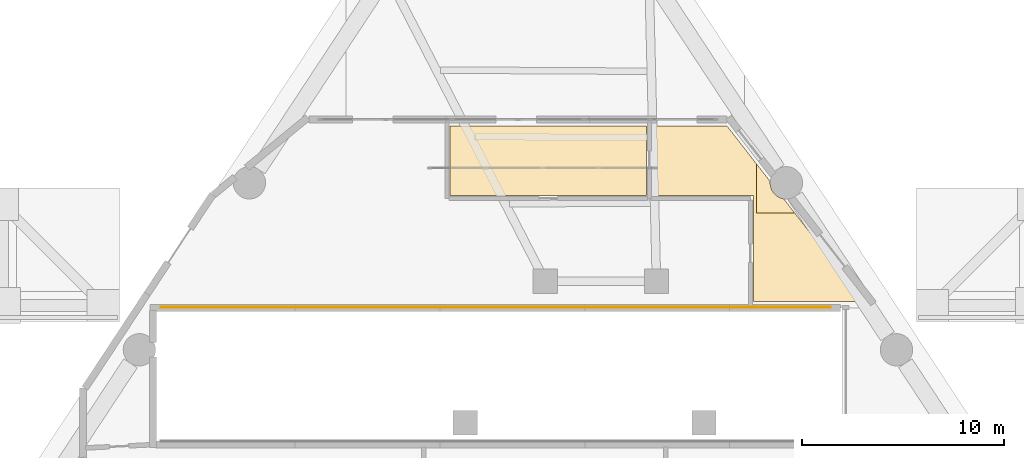
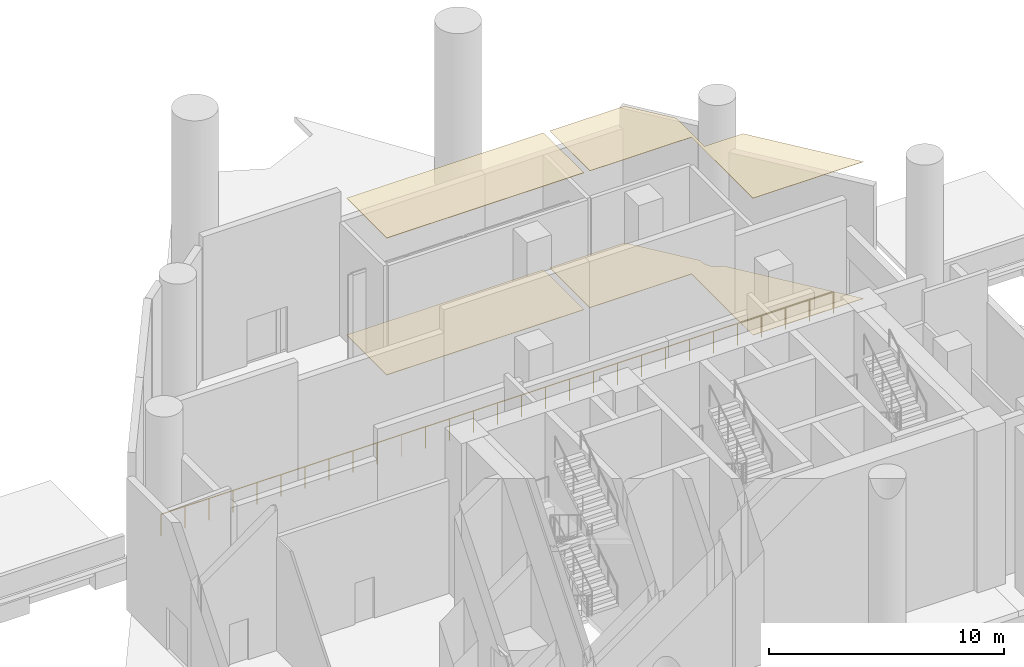
# One storey, part 11 of 12: 4 coverings, 1 railing.
"""IFC4 building model written with IfcOpenShell, lengths in metres."""

from ifc_helpers import new_model, si_unit, direction, frame, origin, origin_2d, place, context, subcontext, project, spatial, polyline, circle, outline, extrude, material, layer, layer_set, type_object, element, save


model = new_model("IFC4")

# Units and contexts
model_context = context("Model", 3, precision=1e-05, world=origin(), true_north=direction((0.0, 1.0)))
body_context = subcontext(model_context, "Body", "Model", "MODEL_VIEW")
ifc_project = project(units=[si_unit("LENGTHUNIT", "METRE"), si_unit("AREAUNIT", "SQUARE_METRE"), si_unit("VOLUMEUNIT", "CUBIC_METRE"), si_unit("PLANEANGLEUNIT", "RADIAN"), si_unit("MASSUNIT", "GRAM", prefix="KILO")], contexts=[model_context])

# Site, building, storey
site_placement = place(None, origin())
site = spatial("IfcSite", under=ifc_project, at=site_placement, CompositionType="ELEMENT")
building_placement = place(site_placement, origin())
building = spatial("IfcBuilding", under=site, at=building_placement, Name="Almagre Mirador Tower", CompositionType="ELEMENT")
storey_placement = place(building_placement, origin())
storey = spatial("IfcBuildingStorey", under=building, at=storey_placement, Name="L00", CompositionType="ELEMENT", Elevation=0.0)

# Coverings
ifc_material_1 = material(Name="Perforated acoustic gypsum ceiling", Category="other")
ifc_layer_1 = layer(ifc_material_1, 0.01806640625)
ifc_layer_set_1 = layer_set([ifc_layer_1], Name="Perforated acoustic gypsum ceiling")
covering_type_1 = type_object("IfcCoveringType", Name="COV-CEIL-GYP-18", PredefinedType="CEILING", material=ifc_layer_set_1)
covering_1_placement = place(storey_placement, frame((0.0, 0.0, 7.1201171875)))
element("IfcCovering", 1, at=covering_1_placement, inside=storey, type_object=covering_type_1, Name="L00 Residents Concierge and Cafe Salon acoustic suspended ceiling", PredefinedType="CEILING", context=body_context, shape_type="SweptSolid", body=[
    extrude(outline(polyline([(53.0849609375, 25.2099609375), (47.64990234375, 25.2099609375), (47.64990234375, 30.449951171875), (42.64990234375, 30.449951171875), (42.64990234375, 33.8798828125), (46.3369140625, 33.8798828125), (47.798095703125, 32.0029296875), (47.798095703125, 29.587890625), (49.677978515625, 29.587890625), (53.0849609375, 25.2099609375)])), origin(), (0.0, 0.0, 1.0), 0.017822265625),
])
ifc_material_2 = material(Name="Slatted white oak acoustic ceiling", Category="wood")
ifc_layer_2 = layer(ifc_material_2, 0.02392578125)
ifc_layer_set_2 = layer_set([ifc_layer_2], Name="Slatted white oak acoustic ceiling")
covering_type_2 = type_object("IfcCoveringType", Name="COV-CEIL-WD-24", PredefinedType="CEILING", material=ifc_layer_set_2)
covering_2_placement = place(storey_placement, frame((0.0, 0.0, 7.1201171875)))
element("IfcCovering", 2, at=covering_2_placement, inside=storey, type_object=covering_type_2, Name="L00 Residential Entrance Lobby acoustic suspended ceiling", PredefinedType="CEILING", context=body_context, shape_type="SweptSolid", body=[
    extrude(outline(polyline([(42.35009765625, 30.449951171875), (32.64990234375, 30.449951171875), (32.64990234375, 33.8798828125), (42.35009765625, 33.8798828125), (42.35009765625, 30.449951171875)])), origin(), (0.0, 0.0, 1.0), 0.02392578125),
])
ifc_material_3 = material(Name="Honed basalt terrazzo flooring", Category="masonry")
ifc_layer_3 = layer(ifc_material_3, 0.02197265625)
ifc_layer_set_3 = layer_set([ifc_layer_3], Name="Honed basalt terrazzo flooring")
covering_type_3 = type_object("IfcCoveringType", Name="COV-FLR-TER-22", PredefinedType="FLOORING", material=ifc_layer_set_3)
covering_3_placement = place(storey_placement, origin())
element("IfcCovering", 3, at=covering_3_placement, inside=storey, type_object=covering_type_3, Name="L00 Residential Entrance Lobby finish flooring", PredefinedType="FLOORING", context=body_context, shape_type="SweptSolid", body=[
    extrude(outline(polyline([(42.35009765625, 30.449951171875), (32.64990234375, 30.449951171875), (32.64990234375, 33.8798828125), (42.35009765625, 33.8798828125), (42.35009765625, 30.449951171875)])), origin(), (0.0, 0.0, 1.0), 0.02197265625),
])
covering_4_placement = place(storey_placement, origin())
element("IfcCovering", 4, at=covering_4_placement, inside=storey, type_object=covering_type_3, Name="L00 Residents Concierge and Cafe Salon finish flooring", PredefinedType="FLOORING", context=body_context, shape_type="SweptSolid", body=[
    extrude(outline(polyline([(48.47607421875, 31.131103515625), (48.472900390625, 31.068115234375), (48.47705078125, 30.989013671875), (48.488037109375, 30.910888671875), (48.508056640625, 30.833984375), (48.533935546875, 30.760009765625), (48.568115234375, 30.68896484375), (48.60888671875, 30.62109375), (48.656005859375, 30.556884765625), (48.708984375, 30.4990234375), (48.76708984375, 30.446044921875), (48.8310546875, 30.39892578125), (48.89892578125, 30.35791015625), (48.969970703125, 30.323974609375), (49.0439453125, 30.298095703125), (49.12109375, 30.278076171875), (49.14306640625, 30.27490234375), (53.0849609375, 25.2099609375), (47.64990234375, 25.2099609375), (47.64990234375, 30.449951171875), (42.64990234375, 30.449951171875), (42.64990234375, 33.8798828125), (46.3369140625, 33.8798828125), (48.47607421875, 31.131103515625)])), origin(), (0.0, 0.0, 1.0), 0.02197265625),
])

# Railing
ifc_material_4 = material(Name="Painted galvanized steel", Category="steel")
railing_type = type_object("IfcRailingType", Name="RLG-GRD-1150", PredefinedType="GUARDRAIL", material=ifc_material_4)
railing_placement = place(storey_placement, frame((18.35009765625, 24.919921875, 0.0)))
element("IfcRailing", 5, at=railing_placement, inside=storey, type_object=railing_type, Name="L00 vehicular ramp north edge guardrail", PredefinedType="GUARDRAIL", context=body_context, shape_type="SweptSolid", body=[
    extrude(circle(Radius=0.02392578125, at=origin_2d()), frame((0.0, 0.0, 1.1259765625), z_axis=(1.0, 0.0, 0.0), x_axis=(0.0, 1.0, 0.0)), (0.0, 0.0, 1.0), 33.099853515625),
    extrude(circle(Radius=0.02099609375, at=origin_2d()), origin(), (0.0, 0.0, 1.0), 1.101806640625),
    extrude(circle(Radius=0.02099609375, at=origin_2d()), frame((1.18212890625, 0.0, 0.0)), (0.0, 0.0, 1.0), 1.101806640625),
    extrude(circle(Radius=0.02099609375, at=origin_2d()), frame((2.3642578125, 0.0, 0.0)), (0.0, 0.0, 1.0), 1.101806640625),
    extrude(circle(Radius=0.02099609375, at=origin_2d()), frame((3.54638671875, 0.0, 0.0)), (0.0, 0.0, 1.0), 1.101806640625),
    extrude(circle(Radius=0.02099609375, at=origin_2d()), frame((4.728515625, 0.0, 0.0)), (0.0, 0.0, 1.0), 1.101806640625),
    extrude(circle(Radius=0.02099609375, at=origin_2d()), frame((5.91064453125, 0.0, 0.0)), (0.0, 0.0, 1.0), 1.101806640625),
    extrude(circle(Radius=0.02099609375, at=origin_2d()), frame((7.0927734375, 0.0, 0.0)), (0.0, 0.0, 1.0), 1.101806640625),
    extrude(circle(Radius=0.02099609375, at=origin_2d()), frame((8.27490234375, 0.0, 0.0)), (0.0, 0.0, 1.0), 1.101806640625),
    extrude(circle(Radius=0.02099609375, at=origin_2d()), frame((9.45703125, 0.0, 0.0)), (0.0, 0.0, 1.0), 1.101806640625),
    extrude(circle(Radius=0.02099609375, at=origin_2d()), frame((10.63916015625, 0.0, 0.0)), (0.0, 0.0, 1.0), 1.101806640625),
    extrude(circle(Radius=0.02099609375, at=origin_2d()), frame((11.8212890625, 0.0, 0.0)), (0.0, 0.0, 1.0), 1.101806640625),
    extrude(circle(Radius=0.02099609375, at=origin_2d()), frame((13.00341796875, 0.0, 0.0)), (0.0, 0.0, 1.0), 1.101806640625),
    extrude(circle(Radius=0.02099609375, at=origin_2d()), frame((14.185546875, 0.0, 0.0)), (0.0, 0.0, 1.0), 1.101806640625),
    extrude(circle(Radius=0.02099609375, at=origin_2d()), frame((15.36767578125, 0.0, 0.0)), (0.0, 0.0, 1.0), 1.101806640625),
    extrude(circle(Radius=0.02099609375, at=origin_2d()), frame((16.5498046875, 0.0, 0.0)), (0.0, 0.0, 1.0), 1.101806640625),
    extrude(circle(Radius=0.02099609375, at=origin_2d()), frame((17.732177734375, 0.0, 0.0)), (0.0, 0.0, 1.0), 1.101806640625),
    extrude(circle(Radius=0.02099609375, at=origin_2d()), frame((18.914306640625, 0.0, 0.0)), (0.0, 0.0, 1.0), 1.101806640625),
    extrude(circle(Radius=0.02099609375, at=origin_2d()), frame((20.096435546875, 0.0, 0.0)), (0.0, 0.0, 1.0), 1.101806640625),
    extrude(circle(Radius=0.02099609375, at=origin_2d()), frame((21.278564453125, 0.0, 0.0)), (0.0, 0.0, 1.0), 1.101806640625),
    extrude(circle(Radius=0.02099609375, at=origin_2d()), frame((22.460693359375, 0.0, 0.0)), (0.0, 0.0, 1.0), 1.101806640625),
    extrude(circle(Radius=0.02099609375, at=origin_2d()), frame((23.642822265625, 0.0, 0.0)), (0.0, 0.0, 1.0), 1.101806640625),
    extrude(circle(Radius=0.02099609375, at=origin_2d()), frame((24.824951171875, 0.0, 0.0)), (0.0, 0.0, 1.0), 1.101806640625),
    extrude(circle(Radius=0.02099609375, at=origin_2d()), frame((26.007080078125, 0.0, 0.0)), (0.0, 0.0, 1.0), 1.101806640625),
    extrude(circle(Radius=0.02099609375, at=origin_2d()), frame((27.189208984375, 0.0, 0.0)), (0.0, 0.0, 1.0), 1.101806640625),
    extrude(circle(Radius=0.02099609375, at=origin_2d()), frame((28.371337890625, 0.0, 0.0)), (0.0, 0.0, 1.0), 1.101806640625),
    extrude(circle(Radius=0.02099609375, at=origin_2d()), frame((29.553466796875, 0.0, 0.0)), (0.0, 0.0, 1.0), 1.101806640625),
    extrude(circle(Radius=0.02099609375, at=origin_2d()), frame((30.735595703125, 0.0, 0.0)), (0.0, 0.0, 1.0), 1.101806640625),
    extrude(circle(Radius=0.02099609375, at=origin_2d()), frame((31.917724609375, 0.0, 0.0)), (0.0, 0.0, 1.0), 1.101806640625),
    extrude(circle(Radius=0.02099609375, at=origin_2d()), frame((33.099853515625, 0.0, 0.0)), (0.0, 0.0, 1.0), 1.101806640625),
])

save(model, "model.ifc")
